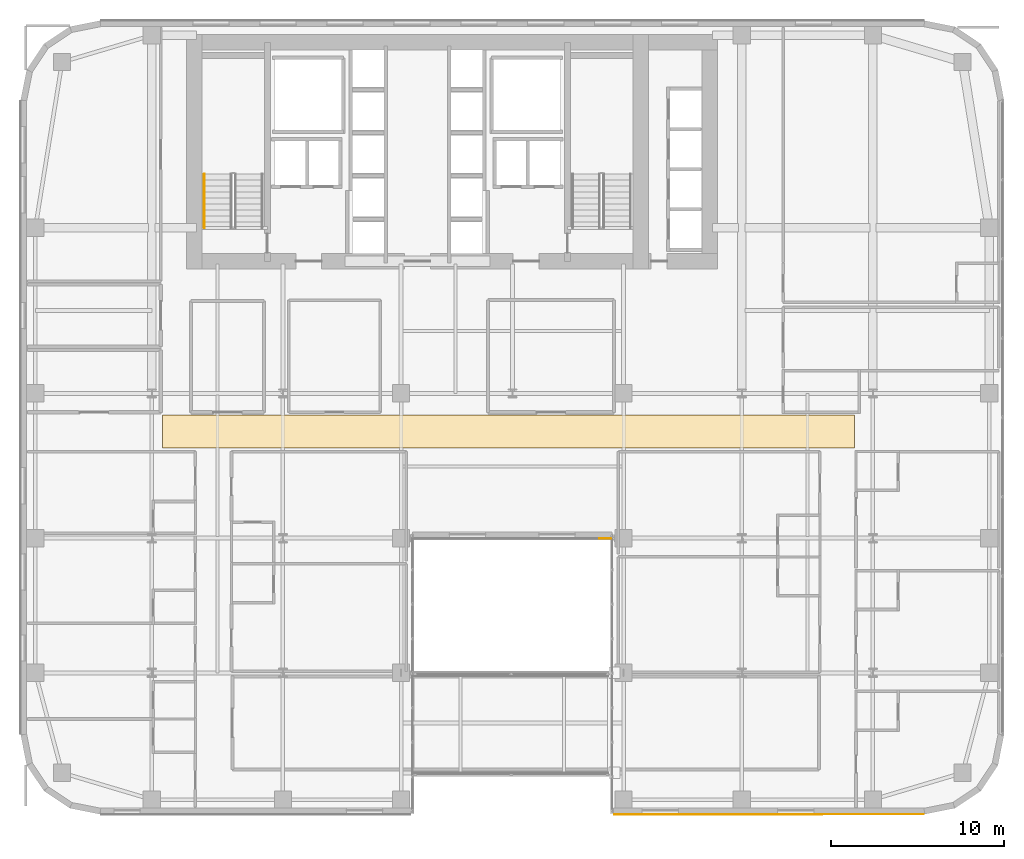
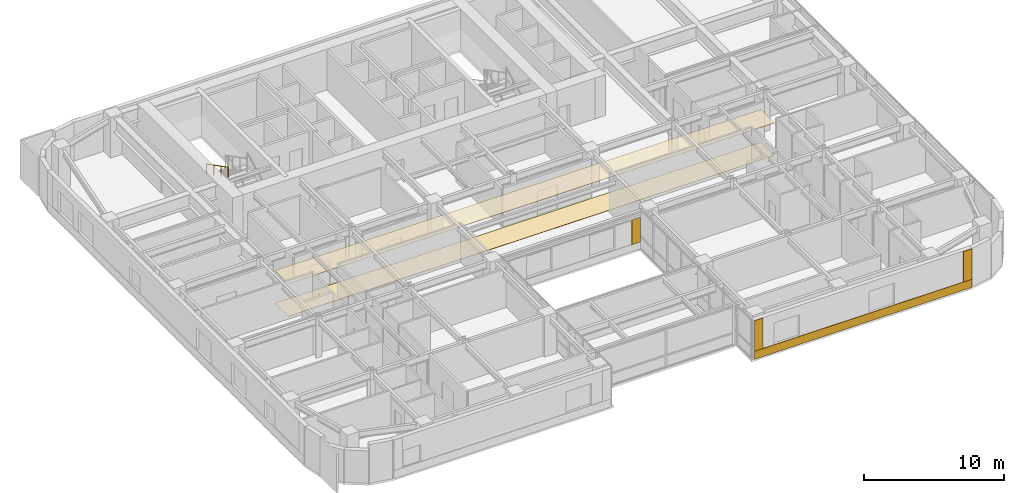
# One storey, part 28 of 31: 6 coverings, 1 railing.
"""IFC4 building model written with IfcOpenShell, lengths in metres."""

from ifc_helpers import new_model, si_unit, direction, frame, origin, origin_2d, place, context, subcontext, project, spatial, polyline, circle, outline, extrude, material, layer, layer_set, type_object, element, save


model = new_model("IFC4")

# Units and contexts
model_context = context("Model", 3, precision=1e-05, world=origin(), true_north=direction((0.0, 1.0)))
body_context = subcontext(model_context, "Body", "Model", "MODEL_VIEW")
ifc_project = project(units=[si_unit("LENGTHUNIT", "METRE"), si_unit("AREAUNIT", "SQUARE_METRE"), si_unit("VOLUMEUNIT", "CUBIC_METRE"), si_unit("PLANEANGLEUNIT", "RADIAN"), si_unit("MASSUNIT", "GRAM", prefix="KILO")], contexts=[model_context])

# Site, building, storey
site_placement = place(None, origin())
site = spatial("IfcSite", under=ifc_project, at=site_placement, CompositionType="ELEMENT")
building_placement = place(site_placement, origin())
building = spatial("IfcBuilding", under=site, at=building_placement, Name="Tolvann Quenvar Hotel", CompositionType="ELEMENT")
storey_placement = place(building_placement, frame((0.0, 0.0, 74.60009765625)))
storey = spatial("IfcBuildingStorey", under=building, at=storey_placement, Name="L18", CompositionType="ELEMENT", Elevation=74.60009765625)

# Coverings
ifc_material_1 = material(Name="Micro-perforated acoustic mineral-fibre and timber-batten suspended ceiling", Category="wood")
ifc_layer_1 = layer(ifc_material_1, 0.0400390625)
ifc_layer_set_1 = layer_set([ifc_layer_1], Name="Micro-perforated acoustic mineral-fibre and timber-batten suspended ceiling")
covering_type_1 = type_object("IfcCoveringType", Name="COV_CEIL_ACOUSTIC_40", PredefinedType="CEILING", material=ifc_layer_set_1)
covering_1_placement = place(storey_placement, frame((0.0, 0.0, 2.829833984375)))
element("IfcCovering", 1, at=covering_1_placement, inside=storey, type_object=covering_type_1, Name="Suspended Acoustic Ceiling (Hotel Guest Corridor L18)", PredefinedType="CEILING", context=body_context, shape_type="SweptSolid", body=[
    extrude(outline(polyline([(8.219970703125, 21.219970703125), (48.330078125, 21.219970703125), (48.330078125, 23.1298828125), (8.219970703125, 23.1298828125), (8.219970703125, 21.219970703125)])), origin(), (0.0, 0.0, 1.0), 0.0400390625),
])
ifc_material_2 = material(Name="Kiln-fired red architectural face brick cladding", Category="masonry")
ifc_layer_2 = layer(ifc_material_2, 0.0400390625)
ifc_layer_set_2 = layer_set([ifc_layer_2], Name="Kiln-fired red architectural face brick cladding")
covering_type_2 = type_object("IfcCoveringType", Name="COV_CLAD_BRICK_40", PredefinedType="CLADDING", material=ifc_layer_set_2)
covering_2_placement = place(storey_placement, frame((0.0, 0.0, 0.6044921875)))
element("IfcCovering", 2, at=covering_2_placement, inside=storey, type_object=covering_type_2, Name="Brick Pier Cladding (L18-E06-P2)", PredefinedType="CLADDING", context=body_context, shape_type="SweptSolid", body=[
    extrude(outline(polyline([(33.5400390625, 16.0), (34.239990234375, 16.0), (34.239990234375, 15.9599609375), (33.5400390625, 15.9599609375), (33.5400390625, 16.0)])), origin(), (0.0, 0.0, 1.0), 2.143310546875),
])
covering_3_placement = place(storey_placement, frame((0.0, 0.0, 0.699951171875)))
element("IfcCovering", 3, at=covering_3_placement, inside=storey, type_object=covering_type_2, Name="Brick Pier Cladding (L18-E08-P1)", PredefinedType="CLADDING", context=body_context, shape_type="SweptSolid", body=[
    extrude(outline(polyline([(34.425048828125, 0.0), (35.125, 0.0), (35.125, -0.0400390625), (34.425048828125, -0.0400390625), (34.425048828125, 0.0)])), origin(), (0.0, 0.0, 1.0), 2.669921875),
])
covering_4_placement = place(storey_placement, frame((0.0, 0.0, 0.699951171875)))
element("IfcCovering", 4, at=covering_4_placement, inside=storey, type_object=covering_type_2, Name="Brick Pier Cladding (L18-E08-P2)", PredefinedType="CLADDING", context=body_context, shape_type="SweptSolid", body=[
    extrude(outline(polyline([(51.6328125, 0.0), (52.332763671875, 0.0), (52.332763671875, -0.0400390625), (51.6328125, -0.0400390625), (51.6328125, 0.0)])), origin(), (0.0, 0.0, 1.0), 2.669921875),
])
ifc_material_3 = material(Name="Moulded buff architectural terracotta spandrel cladding", Category="masonry")
ifc_layer_3 = layer(ifc_material_3, 0.0400390625)
ifc_layer_set_3 = layer_set([ifc_layer_3], Name="Moulded buff architectural terracotta spandrel cladding")
covering_type_3 = type_object("IfcCoveringType", Name="COV_CLAD_TERRA_40", PredefinedType="CLADDING", material=ifc_layer_set_3)
covering_5_placement = place(storey_placement, origin())
element("IfcCovering", 5, at=covering_5_placement, inside=storey, type_object=covering_type_3, Name="Terracotta Spandrel Cladding (L18-E08)", PredefinedType="CLADDING", context=body_context, shape_type="SweptSolid", body=[
    extrude(outline(polyline([(34.4150390625, 0.0), (52.3427734375, 0.0), (52.3427734375, -0.0400390625), (34.4150390625, -0.0400390625), (34.4150390625, 0.0)])), origin(), (0.0, 0.0, 1.0), 0.699951171875),
])
ifc_material_4 = material(Name="Honed Australian bluestone, terrazzo and engineered oak flooring", Category="masonry")
ifc_layer_4 = layer(ifc_material_4, 0.02001953125)
ifc_layer_set_4 = layer_set([ifc_layer_4], Name="Honed Australian bluestone, terrazzo and engineered oak flooring")
covering_type_4 = type_object("IfcCoveringType", Name="COV_FLOOR_STONE_20", PredefinedType="FLOORING", material=ifc_layer_set_4)
covering_6_placement = place(storey_placement, origin())
element("IfcCovering", 6, at=covering_6_placement, inside=storey, type_object=covering_type_4, Name="Architectural Floor Finish (Hotel Guest Corridor L18)", PredefinedType="FLOORING", context=body_context, shape_type="SweptSolid", body=[
    extrude(outline(polyline([(8.219970703125, 21.219970703125), (48.330078125, 21.219970703125), (48.330078125, 23.1298828125), (8.219970703125, 23.1298828125), (8.219970703125, 21.219970703125)])), origin(), (0.0, 0.0, 1.0), 0.02001953125),
])

# Railing
ifc_material_5 = material(Name="Brushed 316 stainless steel balustrade and handrail", Category="steel")
railing_type = type_object("IfcRailingType", Name="HANDRAIL", PredefinedType="HANDRAIL", material=ifc_material_5)
railing_placement = place(storey_placement, frame((10.64990234375, 37.10498046875, 1.952392578125)))
element("IfcRailing", 7, at=railing_placement, inside=storey, type_object=railing_type, Name="L18 ST-C1 stair handrail 2", PredefinedType="HANDRAIL", context=body_context, shape_type="SweptSolid", body=[
    extrude(circle(Radius=0.02392578125, at=origin_2d()), frame((0.0, 0.0, 0.8759765625), z_axis=(0.0, -0.889221982265, 0.45747597342), x_axis=(1.0, 0.0, 0.0)), (0.0, 0.0, 1.0), 3.49169921875),
    extrude(circle(Radius=0.02099609375, at=origin_2d()), origin(), (0.0, 0.0, 1.0), 0.851806640625),
    extrude(circle(Radius=0.02099609375, at=origin_2d()), frame((0.0, -1.034912109375, 0.532470703125)), (0.0, 0.0, 1.0), 0.851806640625),
    extrude(circle(Radius=0.02099609375, at=origin_2d()), frame((0.0, -2.070068359375, 1.06494140625)), (0.0, 0.0, 1.0), 0.851806640625),
    extrude(circle(Radius=0.02099609375, at=origin_2d()), frame((0.0, -3.10498046875, 1.597412109375)), (0.0, 0.0, 1.0), 0.851806640625),
])

save(model, "model.ifc")
